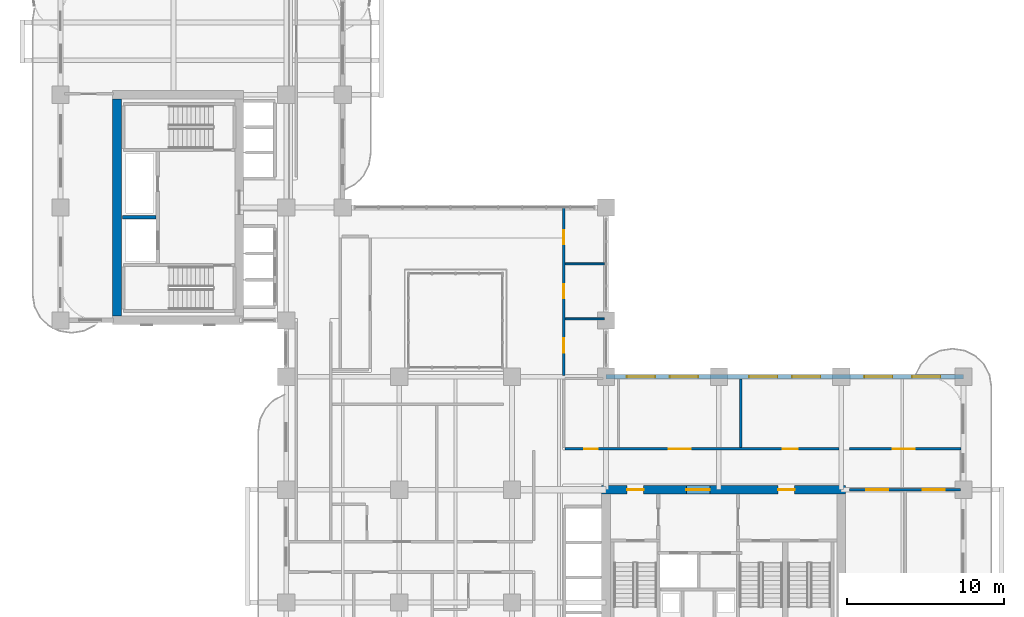
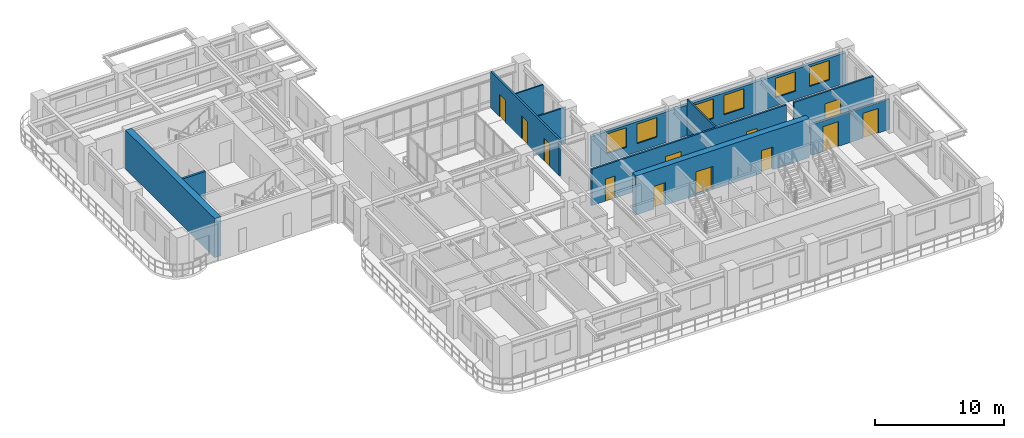
# One storey, part 15 of 22: 12 doors, 11 walls, 6 windows, 18 openings.
"""IFC4 building model written with IfcOpenShell, lengths in metres."""

from ifc_helpers import new_model, si_unit, derived_unit, direction, frame, frame_2d, origin, place, context, subcontext, project, spatial, rectangle, extrude, source, transform, mapped, material, layer, layer_set, type_object, type_shapes, element, fill, save


model = new_model("IFC4")

# Units and contexts
model_context = context("Model", 3, precision=1e-05, world=origin(), true_north=direction((0.0, 1.0)))
body_context = subcontext(model_context, "Body", "Model", "MODEL_VIEW")
ifc_project = project(units=[si_unit("LENGTHUNIT", "METRE"), si_unit("AREAUNIT", "SQUARE_METRE"), si_unit("VOLUMEUNIT", "CUBIC_METRE"), si_unit("PLANEANGLEUNIT", "RADIAN"), si_unit("MASSUNIT", "GRAM", prefix="KILO"), si_unit("THERMODYNAMICTEMPERATUREUNIT", "KELVIN"), si_unit("POWERUNIT", "WATT"), derived_unit("THERMALTRANSMITTANCEUNIT", [(si_unit("POWERUNIT", "WATT"), 1), (si_unit("AREAUNIT", "SQUARE_METRE"), -1), (si_unit("THERMODYNAMICTEMPERATUREUNIT", "KELVIN"), -1)])], contexts=[model_context])

# Site, building, storey
site_placement = place(None, origin())
site = spatial("IfcSite", under=ifc_project, at=site_placement, CompositionType="ELEMENT")
building_placement = place(site_placement, origin())
building = spatial("IfcBuilding", under=site, at=building_placement, Name="Zahravan Archway Hotel and Residences", CompositionType="ELEMENT")
storey_placement = place(building_placement, frame((0.0, 0.0, 95.300048828125)))
storey = spatial("IfcBuildingStorey", under=building, at=storey_placement, Name="L23", CompositionType="ELEMENT", Elevation=95.300048828125)

# Wall, openings, doors
ifc_material_1 = material(Name="Concrete C70/85", Category="concrete")
ifc_layer_1 = layer(ifc_material_1, 0.550048828125, Name="Concrete C70/85", Category="concrete")
ifc_layer_set_1 = layer_set([ifc_layer_1], Name="Concrete C70/85")
wall_type_1 = type_object("IfcWallType", Name="CW-CORE-550", PredefinedType="SHEAR", material=ifc_layer_set_1)
wall_1_placement = place(storey_placement, frame((34.52490234375, 14.39990234375, 0.0), z_axis=(0.0, 0.0, 1.0), x_axis=(1.0, 0.0, 0.0)))
wall_1 = element("IfcWall", 1, at=wall_1_placement, inside=storey, type_object=wall_type_1, Name="L23 Core A Shear N Wall 550 mm", PredefinedType="SHEAR", context=body_context, shape_type="SweptSolid", body=[
    extrude(rectangle(XDim=15.550048828125, YDim=0.550048828125, at=frame_2d((7.77490234375, 0.0))), origin(), (0.0, 0.0, 1.0), 3.699951171875),
])
opening_1_placement = place(wall_1_placement, frame((5.405029296875, 0.0, 0.0)))
opening_1 = element("IfcOpeningElement", 2, at=opening_1_placement, cuts=wall_1, Name="Opening FD-L1", PredefinedType="OPENING", context=body_context, shape_type="SweptSolid", body=[
    extrude(rectangle(XDim=1.5, YDim=2.199951171875, at=frame_2d((0.75, 1.10009765625))), frame((0.0, 0.28515625, 0.0), z_axis=(0.0, -1.0, 0.0), x_axis=(1.0, 0.0, 0.0)), (0.0, 0.0, 1.0), 0.570068359375),
])
opening_2_placement = place(wall_1_placement, frame((1.6201171875, 0.0, 0.0)))
opening_2 = element("IfcOpeningElement", 3, at=opening_2_placement, cuts=wall_1, Name="Opening FD-L2", PredefinedType="OPENING", context=body_context, shape_type="SweptSolid", body=[
    extrude(rectangle(XDim=1.050048828125, YDim=2.14990234375, at=frame_2d((0.52490234375, 1.074951171875))), frame((0.0, 0.28515625, 0.0), z_axis=(0.0, -1.0, 0.0), x_axis=(1.0, 0.0, 0.0)), (0.0, 0.0, 1.0), 0.570068359375),
])
opening_3_placement = place(wall_1_placement, frame((11.25, 0.0, 0.0)))
opening_3 = element("IfcOpeningElement", 4, at=opening_3_placement, cuts=wall_1, Name="Opening FD-L2", PredefinedType="OPENING", context=body_context, shape_type="SweptSolid", body=[
    extrude(rectangle(XDim=1.050048828125, YDim=2.14990234375, at=frame_2d((0.52490234375, 1.074951171875))), frame((0.0, 0.28515625, 0.0), z_axis=(0.0, -1.0, 0.0), x_axis=(1.0, 0.0, 0.0)), (0.0, 0.0, 1.0), 0.570068359375),
])
ifc_material_2 = material(Name="Fire-Rated Painted Steel", Category="steel")
door_type_1 = type_object("IfcDoorType", Name="FD-LOBBY-1100", OperationType="NOTDEFINED", PredefinedType="DOOR", material=ifc_material_2)
shared_shape_1 = source(origin(), body_context, "Body", "SweptSolid", [
    extrude(rectangle(XDim=1.050048828125, YDim=2.14990234375, at=frame_2d((0.52490234375, 1.074951171875))), frame((0.0, 0.02490234375, 0.0), z_axis=(0.0, -1.0, 0.0), x_axis=(1.0, 0.0, 0.0)), (0.0, 0.0, 1.0), 0.050048828125),
])
type_shapes(door_type_1, [shared_shape_1])
door_1_placement = place(opening_2_placement, origin())
door_1 = element("IfcDoor", 5, at=door_1_placement, inside=storey, type_object=door_type_1, Name="L23 Core A West Stair Lobby Door", OperationType="SINGLE_SWING_RIGHT", OverallHeight=2.14990234375, OverallWidth=1.050048828125, PredefinedType="DOOR", context=body_context, shape_type="MappedRepresentation", body=[
    mapped(shared_shape_1, transform((0.0, 0.0, 0.0), scale=1.0)),
])
fill(opening_2, door_1)
door_2_placement = place(opening_3_placement, origin())
door_2 = element("IfcDoor", 6, at=door_2_placement, inside=storey, type_object=door_type_1, Name="L23 Core A East Stair Lobby Door", OperationType="SINGLE_SWING_LEFT", OverallHeight=2.14990234375, OverallWidth=1.050048828125, PredefinedType="DOOR", context=body_context, shape_type="MappedRepresentation", body=[
    mapped(shared_shape_1, transform((0.0, 0.0, 0.0), scale=1.0)),
])
fill(opening_3, door_2)
door_type_2 = type_object("IfcDoorType", Name="FD-LOBBY-1500", OperationType="DOUBLE_DOOR_SINGLE_SWING", PredefinedType="DOOR", material=ifc_material_2)
shared_shape_2 = source(origin(), body_context, "Body", "SweptSolid", [
    extrude(rectangle(XDim=1.5, YDim=2.199951171875, at=frame_2d((0.75, 1.10009765625))), frame((0.0, 0.02490234375, 0.0), z_axis=(0.0, -1.0, 0.0), x_axis=(1.0, 0.0, 0.0)), (0.0, 0.0, 1.0), 0.050048828125),
])
type_shapes(door_type_2, [shared_shape_2])
door_3_placement = place(opening_1_placement, origin())
door_3 = element("IfcDoor", 7, at=door_3_placement, inside=storey, type_object=door_type_2, Name="L23 Core A FSAE Lobby Main Door", OperationType="DOUBLE_DOOR_SINGLE_SWING", OverallHeight=2.199951171875, OverallWidth=1.5, PredefinedType="DOOR", context=body_context, shape_type="MappedRepresentation", body=[
    mapped(shared_shape_2, transform((0.0, 0.0, 0.0), scale=1.0)),
])
fill(opening_1, door_3)

# Wall
wall_2_placement = place(storey_placement, frame((3.60009765625, 25.47509765625, 0.0), z_axis=(0.0, 0.0, 1.0), x_axis=(0.0, 1.0, 0.0)))
element("IfcWall", 8, at=wall_2_placement, inside=storey, type_object=wall_type_1, Name="L23 Core B Shear W Wall 550 mm", PredefinedType="SHEAR", context=body_context, shape_type="SweptSolid", body=[
    extrude(rectangle(XDim=13.849853515625, YDim=0.550048828125, at=frame_2d((6.9248046875, 0.0))), origin(), (0.0, 0.0, 1.0), 3.699951171875),
])

# Wall, openings, windows
ifc_material_3 = material(Name="Honed Red-Ochre Sandstone & Insulated Block", Category="masonry")
ifc_layer_2 = layer(ifc_material_3, 0.280029296875, Name="Honed Red-Ochre Sandstone & Insulated Block", Category="masonry")
ifc_layer_set_2 = layer_set([ifc_layer_2], Name="Honed Red-Ochre Sandstone & Insulated Block")
wall_type_2 = type_object("IfcWallType", Name="EW-LOG-280", PredefinedType="SOLIDWALL", material=ifc_layer_set_2)
wall_3_placement = place(storey_placement, frame((34.800048828125, 21.60009765625, 0.0), z_axis=(0.0, 0.0, 1.0), x_axis=(1.0, 0.0, 0.0)))
wall_3 = element("IfcWall", 9, at=wall_3_placement, inside=storey, type_object=wall_type_2, Name="L23 Exterior Sandstone Wall WA-NE", PredefinedType="SOLIDWALL", context=body_context, shape_type="SweptSolid", body=[
    extrude(rectangle(XDim=22.800048828125, YDim=0.280029296875, at=frame_2d((11.39990234375, 0.0))), origin(), (0.0, 0.0, 1.0), 2.885009765625),
])
opening_4_placement = place(wall_3_placement, frame((1.3310546875, 0.0, 0.800048828125)))
opening_4 = element("IfcOpeningElement", 10, at=opening_4_placement, cuts=wall_3, Name="Opening W-02", PredefinedType="OPENING", context=body_context, shape_type="SweptSolid", body=[
    extrude(rectangle(XDim=1.800048828125, YDim=1.85009765625, at=frame_2d((0.89990234375, 0.925048828125))), frame((0.0, 0.14990234375, 0.0), z_axis=(0.0, -1.0, 0.0), x_axis=(1.0, 0.0, 0.0)), (0.0, 0.0, 1.0), 0.300048828125),
])
opening_5_placement = place(wall_3_placement, frame((4.076904296875, 0.0, 0.800048828125)))
opening_5 = element("IfcOpeningElement", 11, at=opening_5_placement, cuts=wall_3, Name="Opening W-02", PredefinedType="OPENING", context=body_context, shape_type="SweptSolid", body=[
    extrude(rectangle(XDim=1.800048828125, YDim=1.85009765625, at=frame_2d((0.89990234375, 0.925048828125))), frame((0.0, 0.14990234375, 0.0), z_axis=(0.0, -1.0, 0.0), x_axis=(1.0, 0.0, 0.0)), (0.0, 0.0, 1.0), 0.300048828125),
])
opening_6_placement = place(wall_3_placement, frame((9.131103515625, 0.0, 0.800048828125)))
opening_6 = element("IfcOpeningElement", 12, at=opening_6_placement, cuts=wall_3, Name="Opening W-02", PredefinedType="OPENING", context=body_context, shape_type="SweptSolid", body=[
    extrude(rectangle(XDim=1.800048828125, YDim=1.85009765625, at=frame_2d((0.89990234375, 0.925048828125))), frame((0.0, 0.14990234375, 0.0), z_axis=(0.0, -1.0, 0.0), x_axis=(1.0, 0.0, 0.0)), (0.0, 0.0, 1.0), 0.300048828125),
])
opening_7_placement = place(wall_3_placement, frame((11.876953125, 0.0, 0.800048828125)))
opening_7 = element("IfcOpeningElement", 13, at=opening_7_placement, cuts=wall_3, Name="Opening W-02", PredefinedType="OPENING", context=body_context, shape_type="SweptSolid", body=[
    extrude(rectangle(XDim=1.800048828125, YDim=1.85009765625, at=frame_2d((0.89990234375, 0.925048828125))), frame((0.0, 0.14990234375, 0.0), z_axis=(0.0, -1.0, 0.0), x_axis=(1.0, 0.0, 0.0)), (0.0, 0.0, 1.0), 0.300048828125),
])
opening_8_placement = place(wall_3_placement, frame((16.47509765625, 0.0, 0.800048828125)))
opening_8 = element("IfcOpeningElement", 14, at=opening_8_placement, cuts=wall_3, Name="Opening W-02", PredefinedType="OPENING", context=body_context, shape_type="SweptSolid", body=[
    extrude(rectangle(XDim=1.800048828125, YDim=1.85009765625, at=frame_2d((0.89990234375, 0.925048828125))), frame((0.0, 0.14990234375, 0.0), z_axis=(0.0, -1.0, 0.0), x_axis=(1.0, 0.0, 0.0)), (0.0, 0.0, 1.0), 0.300048828125),
])
opening_9_placement = place(wall_3_placement, frame((19.52490234375, 0.0, 0.800048828125)))
opening_9 = element("IfcOpeningElement", 15, at=opening_9_placement, cuts=wall_3, Name="Opening W-02", PredefinedType="OPENING", context=body_context, shape_type="SweptSolid", body=[
    extrude(rectangle(XDim=1.800048828125, YDim=1.85009765625, at=frame_2d((0.89990234375, 0.925048828125))), frame((0.0, 0.14990234375, 0.0), z_axis=(0.0, -1.0, 0.0), x_axis=(1.0, 0.0, 0.0)), (0.0, 0.0, 1.0), 0.300048828125),
])
ifc_material_4 = material(Name="Bronze-Anodized Thermal-Break Aluminium & Low-E Glass", Category="aluminium")
window_type = type_object("IfcWindowType", Name="WIN-TWR-1800", PartitioningType="DOUBLE_PANEL_VERTICAL", PredefinedType="WINDOW", material=ifc_material_4)
shared_shape_3 = source(origin(), body_context, "Body", "SweptSolid", [
    extrude(rectangle(XDim=1.800048828125, YDim=1.85009765625, at=frame_2d((0.89990234375, 0.925048828125))), frame((0.0, 0.030029296875, 0.0), z_axis=(0.0, -1.0, 0.0), x_axis=(1.0, 0.0, 0.0)), (0.0, 0.0, 1.0), 0.06005859375),
])
type_shapes(window_type, [shared_shape_3])
window_1_placement = place(opening_4_placement, origin())
window_1 = element("IfcWindow", 16, at=window_1_placement, inside=storey, type_object=window_type, Name="L23 Loggia Window 18", OverallHeight=1.85009765625, OverallWidth=1.800048828125, PartitioningType="DOUBLE_PANEL_VERTICAL", PredefinedType="WINDOW", context=body_context, shape_type="MappedRepresentation", body=[
    mapped(shared_shape_3, transform((0.0, 0.0, 0.0), scale=1.0)),
])
fill(opening_4, window_1)
window_2_placement = place(opening_5_placement, origin())
window_2 = element("IfcWindow", 17, at=window_2_placement, inside=storey, type_object=window_type, Name="L23 Loggia Window 19", OverallHeight=1.85009765625, OverallWidth=1.800048828125, PartitioningType="DOUBLE_PANEL_VERTICAL", PredefinedType="WINDOW", context=body_context, shape_type="MappedRepresentation", body=[
    mapped(shared_shape_3, transform((0.0, 0.0, 0.0), scale=1.0)),
])
fill(opening_5, window_2)
window_3_placement = place(opening_6_placement, origin())
window_3 = element("IfcWindow", 18, at=window_3_placement, inside=storey, type_object=window_type, Name="L23 Loggia Window 20", OverallHeight=1.85009765625, OverallWidth=1.800048828125, PartitioningType="DOUBLE_PANEL_VERTICAL", PredefinedType="WINDOW", context=body_context, shape_type="MappedRepresentation", body=[
    mapped(shared_shape_3, transform((0.0, 0.0, 0.0), scale=1.0)),
])
fill(opening_6, window_3)
window_4_placement = place(opening_7_placement, origin())
window_4 = element("IfcWindow", 19, at=window_4_placement, inside=storey, type_object=window_type, Name="L23 Loggia Window 21", OverallHeight=1.85009765625, OverallWidth=1.800048828125, PartitioningType="DOUBLE_PANEL_VERTICAL", PredefinedType="WINDOW", context=body_context, shape_type="MappedRepresentation", body=[
    mapped(shared_shape_3, transform((0.0, 0.0, 0.0), scale=1.0)),
])
fill(opening_7, window_4)
window_5_placement = place(opening_8_placement, origin())
window_5 = element("IfcWindow", 20, at=window_5_placement, inside=storey, type_object=window_type, Name="L23 Loggia Window 22", OverallHeight=1.85009765625, OverallWidth=1.800048828125, PartitioningType="DOUBLE_PANEL_VERTICAL", PredefinedType="WINDOW", context=body_context, shape_type="MappedRepresentation", body=[
    mapped(shared_shape_3, transform((0.0, 0.0, 0.0), scale=1.0)),
])
fill(opening_8, window_5)
window_6_placement = place(opening_9_placement, origin())
window_6 = element("IfcWindow", 21, at=window_6_placement, inside=storey, type_object=window_type, Name="L23 Loggia Window 23", OverallHeight=1.85009765625, OverallWidth=1.800048828125, PartitioningType="DOUBLE_PANEL_VERTICAL", PredefinedType="WINDOW", context=body_context, shape_type="MappedRepresentation", body=[
    mapped(shared_shape_3, transform((0.0, 0.0, 0.0), scale=1.0)),
])
fill(opening_9, window_6)

# Wall, openings, doors
ifc_material_5 = material(Name="Fire-Rated Gypsum & Concrete Block", Category="concrete")
ifc_layer_3 = layer(ifc_material_5, 0.159912109375, Name="Fire-Rated Gypsum & Concrete Block", Category="concrete")
ifc_layer_set_3 = layer_set([ifc_layer_3], Name="Fire-Rated Gypsum & Concrete Block")
wall_type_3 = type_object("IfcWallType", Name="PW-CORR-160", PredefinedType="PARTITIONING", material=ifc_layer_set_3)
wall_4_placement = place(storey_placement, frame((32.18994140625, 17.0, 0.0), z_axis=(0.0, 0.0, 1.0), x_axis=(1.0, 0.0, 0.0)))
wall_4 = element("IfcWall", 22, at=wall_4_placement, inside=storey, type_object=wall_type_3, Name="L23 Partition WA-FN", PredefinedType="PARTITIONING", context=body_context, shape_type="SweptSolid", body=[
    extrude(rectangle(XDim=17.469970703125, YDim=0.159912109375, at=frame_2d((8.73486328125, 0.0))), origin(), (0.0, 0.0, 1.0), 3.449951171875),
])
opening_10_placement = place(wall_4_placement, frame((1.235107421875, 0.0, 0.0)))
opening_10 = element("IfcOpeningElement", 23, at=opening_10_placement, cuts=wall_4, Name="Opening D-B1", PredefinedType="OPENING", context=body_context, shape_type="SweptSolid", body=[
    extrude(rectangle(XDim=0.85009765625, YDim=2.10009765625, at=frame_2d((0.425048828125, 1.050048828125))), frame((0.0, 0.08984375, 0.0), z_axis=(0.0, -1.0, 0.0), x_axis=(1.0, 0.0, 0.0)), (0.0, 0.0, 1.0), 0.179931640625),
])
opening_11_placement = place(wall_4_placement, frame((6.610107421875, 0.0, 0.0)))
opening_11 = element("IfcOpeningElement", 24, at=opening_11_placement, cuts=wall_4, Name="Opening D-P1", PredefinedType="OPENING", context=body_context, shape_type="SweptSolid", body=[
    extrude(rectangle(XDim=1.39990234375, YDim=2.35009765625, at=frame_2d((0.699951171875, 1.175048828125))), frame((0.0, 0.08984375, 0.0), z_axis=(0.0, -1.0, 0.0), x_axis=(1.0, 0.0, 0.0)), (0.0, 0.0, 1.0), 0.179931640625),
])
opening_12_placement = place(wall_4_placement, frame((13.885009765625, 0.0, 0.0)))
opening_12 = element("IfcOpeningElement", 25, at=opening_12_placement, cuts=wall_4, Name="Opening D-I1", PredefinedType="OPENING", context=body_context, shape_type="SweptSolid", body=[
    extrude(rectangle(XDim=0.949951171875, YDim=2.14990234375, at=frame_2d((0.47509765625, 1.074951171875))), frame((0.0, 0.08984375, 0.0), z_axis=(0.0, -1.0, 0.0), x_axis=(1.0, 0.0, 0.0)), (0.0, 0.0, 1.0), 0.179931640625),
])
ifc_material_6 = material(Name="Hardwood Veneer Timber", Category="wood")
door_type_3 = type_object("IfcDoorType", Name="ID-BATH-850", OperationType="NOTDEFINED", PredefinedType="DOOR", material=ifc_material_6)
shared_shape_4 = source(origin(), body_context, "Body", "SweptSolid", [
    extrude(rectangle(XDim=0.85009765625, YDim=2.10009765625, at=frame_2d((0.425048828125, 1.050048828125))), frame((0.0, 0.02490234375, 0.0), z_axis=(0.0, -1.0, 0.0), x_axis=(1.0, 0.0, 0.0)), (0.0, 0.0, 1.0), 0.050048828125),
])
type_shapes(door_type_3, [shared_shape_4])
door_4_placement = place(opening_10_placement, origin())
door_4 = element("IfcDoor", 26, at=door_4_placement, inside=storey, type_object=door_type_3, Name="L23 Accessible WC Door", OperationType="SINGLE_SWING_LEFT", OverallHeight=2.10009765625, OverallWidth=0.85009765625, PredefinedType="DOOR", context=body_context, shape_type="MappedRepresentation", body=[
    mapped(shared_shape_4, transform((0.0, 0.0, 0.0), scale=1.0)),
])
fill(opening_10, door_4)
ifc_material_7 = material(Name="Bronze-Anodized Glazed Aluminium", Category="aluminium")
door_type_4 = type_object("IfcDoorType", Name="ID-PUBLIC-1400", OperationType="DOUBLE_DOOR_SINGLE_SWING", PredefinedType="DOOR", material=ifc_material_7)
shared_shape_5 = source(origin(), body_context, "Body", "SweptSolid", [
    extrude(rectangle(XDim=1.39990234375, YDim=2.35009765625, at=frame_2d((0.699951171875, 1.175048828125))), frame((0.0, 0.02490234375, 0.0), z_axis=(0.0, -1.0, 0.0), x_axis=(1.0, 0.0, 0.0)), (0.0, 0.0, 1.0), 0.050048828125),
])
type_shapes(door_type_4, [shared_shape_5])
door_5_placement = place(opening_11_placement, origin())
door_5 = element("IfcDoor", 27, at=door_5_placement, inside=storey, type_object=door_type_4, Name="L23 Private Dining Door", OperationType="DOUBLE_DOOR_SINGLE_SWING", OverallHeight=2.35009765625, OverallWidth=1.39990234375, PredefinedType="DOOR", context=body_context, shape_type="MappedRepresentation", body=[
    mapped(shared_shape_5, transform((0.0, 0.0, 0.0), scale=1.0)),
])
fill(opening_11, door_5)
door_type_5 = type_object("IfcDoorType", Name="ID-INT-950", OperationType="NOTDEFINED", PredefinedType="DOOR", material=ifc_material_6)
shared_shape_6 = source(origin(), body_context, "Body", "SweptSolid", [
    extrude(rectangle(XDim=0.949951171875, YDim=2.14990234375, at=frame_2d((0.47509765625, 1.074951171875))), frame((0.0, 0.02490234375, 0.0), z_axis=(0.0, -1.0, 0.0), x_axis=(1.0, 0.0, 0.0)), (0.0, 0.0, 1.0), 0.050048828125),
])
type_shapes(door_type_5, [shared_shape_6])
door_6_placement = place(opening_12_placement, origin())
door_6 = element("IfcDoor", 28, at=door_6_placement, inside=storey, type_object=door_type_5, Name="L23 Quiet Musalla Door", OperationType="SINGLE_SWING_RIGHT", OverallHeight=2.14990234375, OverallWidth=0.949951171875, PredefinedType="DOOR", context=body_context, shape_type="MappedRepresentation", body=[
    mapped(shared_shape_6, transform((0.0, 0.0, 0.0), scale=1.0)),
])
fill(opening_12, door_6)

# Wall, opening, door
wall_5_placement = place(storey_placement, frame((50.340087890625, 17.0, 0.0), z_axis=(0.0, 0.0, 1.0), x_axis=(1.0, 0.0, 0.0)))
wall_5 = element("IfcWall", 29, at=wall_5_placement, inside=storey, type_object=wall_type_3, Name="L23 Partition EA-PN", PredefinedType="PARTITIONING", context=body_context, shape_type="SweptSolid", body=[
    extrude(rectangle(XDim=7.11181640625, YDim=0.159912109375, at=frame_2d((3.555908203125, 0.0))), origin(), (0.0, 0.0, 1.0), 3.449951171875),
])
opening_13_placement = place(wall_5_placement, frame((2.760009765625, 0.0, 0.0)))
opening_13 = element("IfcOpeningElement", 30, at=opening_13_placement, cuts=wall_5, Name="Opening D-P1", PredefinedType="OPENING", context=body_context, shape_type="SweptSolid", body=[
    extrude(rectangle(XDim=1.39990234375, YDim=2.35009765625, at=frame_2d((0.699951171875, 1.175048828125))), frame((0.0, 0.08984375, 0.0), z_axis=(0.0, -1.0, 0.0), x_axis=(1.0, 0.0, 0.0)), (0.0, 0.0, 1.0), 0.179931640625),
])
door_7_placement = place(opening_13_placement, origin())
door_7 = element("IfcDoor", 31, at=door_7_placement, inside=storey, type_object=door_type_4, Name="L23 East Fitness Studio Door", OperationType="DOUBLE_DOOR_SINGLE_SWING", OverallHeight=2.35009765625, OverallWidth=1.39990234375, PredefinedType="DOOR", context=body_context, shape_type="MappedRepresentation", body=[
    mapped(shared_shape_5, transform((0.0, 0.0, 0.0), scale=1.0)),
])
fill(opening_13, door_7)

# Walls
ifc_material_8 = material(Name="Acoustic Stud Partition")
ifc_layer_4 = layer(ifc_material_8, 0.125, Name="Acoustic Stud Partition")
ifc_layer_set_4 = layer_set([ifc_layer_4], Name="Acoustic Stud Partition")
wall_type_4 = type_object("IfcWallType", Name="PW-INT-125", PredefinedType="PARTITIONING", material=ifc_layer_set_4)
for number, where, z_axis, x_axis, name in (
    (32, (32.18994140625, 25.300048828125, 0.0), (0.0, 0.0, 1.0), (1.0, 0.0, 0.0), "L23 Partition ATR-EM3A"),
    (33, (32.18994140625, 28.800048828125, 0.0), (0.0, 0.0, 1.0), (1.0, 0.0, 0.0), "L23 Partition ATR-EM3B"),
):
    element("IfcWall", number, at=place(storey_placement, frame(where, z_axis=z_axis, x_axis=x_axis)), inside=storey, type_object=wall_type_4, Name=name, PredefinedType="PARTITIONING", context=body_context, shape_type="SweptSolid", body=[
        extrude(rectangle(XDim=2.5, YDim=0.125, at=frame_2d((1.25, 0.0))), origin(), (0.0, 0.0, 1.0), 3.449951171875),
    ])
ifc_layer_5 = layer(ifc_material_5, 0.199951171875, Name="Fire-Rated Gypsum & Concrete Block", Category="concrete")
ifc_layer_set_5 = layer_set([ifc_layer_5], Name="Fire-Rated Gypsum & Concrete Block")
wall_type_5 = type_object("IfcWallType", Name="PW-SHAFT-200", PredefinedType="PARTITIONING", material=ifc_layer_set_5)
wall_6_placement = place(storey_placement, frame((3.9599609375, 31.780029296875, 0.0), z_axis=(0.0, 0.0, 1.0), x_axis=(1.0, 0.0, 0.0)))
element("IfcWall", 34, at=wall_6_placement, inside=storey, type_object=wall_type_5, Name="L23 Partition CB-FL3N", PredefinedType="PARTITIONING", context=body_context, shape_type="SweptSolid", body=[
    extrude(rectangle(XDim=2.130126953125, YDim=0.199951171875, at=frame_2d((1.06494140625, 0.0))), origin(), (0.0, 0.0, 1.0), 3.449951171875),
])

# Wall, openings, doors
ifc_layer_6 = layer(ifc_material_8, 0.169921875, Name="Acoustic Stud Partition")
ifc_layer_set_6 = layer_set([ifc_layer_6], Name="Acoustic Stud Partition")
wall_type_6 = type_object("IfcWallType", Name="PW-UNIT-170", PredefinedType="PARTITIONING", material=ifc_layer_set_6)
wall_7_placement = place(storey_placement, frame((50.340087890625, 14.39990234375, 0.0), z_axis=(0.0, 0.0, 1.0), x_axis=(1.0, 0.0, 0.0)))
wall_7 = element("IfcWall", 35, at=wall_7_placement, inside=storey, type_object=wall_type_6, Name="L23 Partition EA-PS", PredefinedType="PARTITIONING", context=body_context, shape_type="SweptSolid", body=[
    extrude(rectangle(XDim=7.06982421875, YDim=0.169921875, at=frame_2d((3.534912109375, 0.0))), origin(), (0.0, 0.0, 1.0), 2.885009765625),
])
opening_14_placement = place(wall_7_placement, frame((1.06005859375, 0.0, 0.0)))
opening_14 = element("IfcOpeningElement", 36, at=opening_14_placement, cuts=wall_7, Name="Opening D-P1", PredefinedType="OPENING", context=body_context, shape_type="SweptSolid", body=[
    extrude(rectangle(XDim=1.39990234375, YDim=2.35009765625, at=frame_2d((0.699951171875, 1.175048828125))), frame((0.0, 0.094970703125, 0.0), z_axis=(0.0, -1.0, 0.0), x_axis=(1.0, 0.0, 0.0)), (0.0, 0.0, 1.0), 0.18994140625),
])
opening_15_placement = place(wall_7_placement, frame((4.659912109375, 0.0, 0.0)))
opening_15 = element("IfcOpeningElement", 37, at=opening_15_placement, cuts=wall_7, Name="Opening D-P1", PredefinedType="OPENING", context=body_context, shape_type="SweptSolid", body=[
    extrude(rectangle(XDim=1.39990234375, YDim=2.35009765625, at=frame_2d((0.699951171875, 1.175048828125))), frame((0.0, 0.094970703125, 0.0), z_axis=(0.0, -1.0, 0.0), x_axis=(1.0, 0.0, 0.0)), (0.0, 0.0, 1.0), 0.18994140625),
])
door_8_placement = place(opening_14_placement, origin())
door_8 = element("IfcDoor", 38, at=door_8_placement, inside=storey, type_object=door_type_4, Name="L23 East Conference Room Door", OperationType="DOUBLE_DOOR_SINGLE_SWING", OverallHeight=2.35009765625, OverallWidth=1.39990234375, PredefinedType="DOOR", context=body_context, shape_type="MappedRepresentation", body=[
    mapped(shared_shape_5, transform((0.0, 0.0, 0.0), scale=1.0)),
])
fill(opening_14, door_8)
door_9_placement = place(opening_15_placement, origin())
door_9 = element("IfcDoor", 39, at=door_9_placement, inside=storey, type_object=door_type_4, Name="L23 East Salon Door", OperationType="DOUBLE_DOOR_SINGLE_SWING", OverallHeight=2.35009765625, OverallWidth=1.39990234375, PredefinedType="DOOR", context=body_context, shape_type="MappedRepresentation", body=[
    mapped(shared_shape_5, transform((0.0, 0.0, 0.0), scale=1.0)),
])
fill(opening_15, door_9)

wall_8_placement = place(storey_placement, frame((32.10009765625, 21.669921875, 0.0), z_axis=(0.0, 0.0, 1.0), x_axis=(0.0, 1.0, 0.0)))
wall_8 = element("IfcWall", 40, at=wall_8_placement, inside=storey, type_object=wall_type_6, Name="L23 Partition ATR-E", PredefinedType="PARTITIONING", context=body_context, shape_type="SweptSolid", body=[
    extrude(rectangle(XDim=10.7021484375, YDim=0.169921875, at=frame_2d((5.35107421875, 0.0))), origin(), (0.0, 0.0, 1.0), 3.449951171875),
])
opening_16_placement = place(wall_8_placement, frame((1.47998046875, 0.0, 0.0)))
opening_16 = element("IfcOpeningElement", 41, at=opening_16_placement, cuts=wall_8, Name="Opening D-I2", PredefinedType="OPENING", context=body_context, shape_type="SweptSolid", body=[
    extrude(rectangle(XDim=0.89990234375, YDim=2.14990234375, at=frame_2d((0.449951171875, 1.074951171875))), frame((0.0, 0.094970703125, 0.0), z_axis=(0.0, -1.0, 0.0), x_axis=(1.0, 0.0, 0.0)), (0.0, 0.0, 1.0), 0.18994140625),
])
opening_17_placement = place(wall_8_placement, frame((4.929931640625, 0.0, 0.0)))
opening_17 = element("IfcOpeningElement", 42, at=opening_17_placement, cuts=wall_8, Name="Opening D-I2", PredefinedType="OPENING", context=body_context, shape_type="SweptSolid", body=[
    extrude(rectangle(XDim=0.89990234375, YDim=2.14990234375, at=frame_2d((0.449951171875, 1.074951171875))), frame((0.0, 0.094970703125, 0.0), z_axis=(0.0, -1.0, 0.0), x_axis=(1.0, 0.0, 0.0)), (0.0, 0.0, 1.0), 0.18994140625),
])
opening_18_placement = place(wall_8_placement, frame((8.3798828125, 0.0, 0.0)))
opening_18 = element("IfcOpeningElement", 43, at=opening_18_placement, cuts=wall_8, Name="Opening D-I2", PredefinedType="OPENING", context=body_context, shape_type="SweptSolid", body=[
    extrude(rectangle(XDim=0.89990234375, YDim=2.14990234375, at=frame_2d((0.449951171875, 1.074951171875))), frame((0.0, 0.094970703125, 0.0), z_axis=(0.0, -1.0, 0.0), x_axis=(1.0, 0.0, 0.0)), (0.0, 0.0, 1.0), 0.18994140625),
])
door_type_6 = type_object("IfcDoorType", Name="ID-INT-900", OperationType="NOTDEFINED", PredefinedType="DOOR", material=ifc_material_6)
shared_shape_7 = source(origin(), body_context, "Body", "SweptSolid", [
    extrude(rectangle(XDim=0.89990234375, YDim=2.14990234375, at=frame_2d((0.449951171875, 1.074951171875))), frame((0.0, 0.02490234375, 0.0), z_axis=(0.0, -1.0, 0.0), x_axis=(1.0, 0.0, 0.0)), (0.0, 0.0, 1.0), 0.050048828125),
])
type_shapes(door_type_6, [shared_shape_7])
door_10_placement = place(opening_16_placement, origin())
door_10 = element("IfcDoor", 44, at=door_10_placement, inside=storey, type_object=door_type_6, Name="L23 Atrium Pantry Door", OperationType="SINGLE_SWING_RIGHT", OverallHeight=2.14990234375, OverallWidth=0.89990234375, PredefinedType="DOOR", context=body_context, shape_type="MappedRepresentation", body=[
    mapped(shared_shape_7, transform((0.0, 0.0, 0.0), scale=1.0)),
])
fill(opening_16, door_10)
door_11_placement = place(opening_17_placement, origin())
door_11 = element("IfcDoor", 45, at=door_11_placement, inside=storey, type_object=door_type_6, Name="L23 Atrium Study Door", OperationType="SINGLE_SWING_LEFT", OverallHeight=2.14990234375, OverallWidth=0.89990234375, PredefinedType="DOOR", context=body_context, shape_type="MappedRepresentation", body=[
    mapped(shared_shape_7, transform((0.0, 0.0, 0.0), scale=1.0)),
])
fill(opening_17, door_11)
door_12_placement = place(opening_18_placement, origin())
door_12 = element("IfcDoor", 46, at=door_12_placement, inside=storey, type_object=door_type_6, Name="L23 Atrium Clinic Door", OperationType="SINGLE_SWING_RIGHT", OverallHeight=2.14990234375, OverallWidth=0.89990234375, PredefinedType="DOOR", context=body_context, shape_type="MappedRepresentation", body=[
    mapped(shared_shape_7, transform((0.0, 0.0, 0.0), scale=1.0)),
])
fill(opening_18, door_12)

# Wall
ifc_material_9 = material(Name="Moisture-Resistant Blockwork", Category="masonry")
ifc_layer_7 = layer(ifc_material_9, 0.139892578125, Name="Moisture-Resistant Blockwork", Category="masonry")
ifc_layer_set_7 = layer_set([ifc_layer_7], Name="Moisture-Resistant Blockwork")
wall_type_7 = type_object("IfcWallType", Name="PW-WET-140", PredefinedType="PARTITIONING", material=ifc_layer_set_7)
wall_9_placement = place(storey_placement, frame((43.39990234375, 17.090087890625, 0.0), z_axis=(0.0, 0.0, 1.0), x_axis=(0.0, 1.0, 0.0)))
element("IfcWall", 47, at=wall_9_placement, inside=storey, type_object=wall_type_7, Name="L23 Partition NE3-2", PredefinedType="PARTITIONING", context=body_context, shape_type="SweptSolid", body=[
    extrude(rectangle(XDim=4.36181640625, YDim=0.139892578125, at=frame_2d((2.180908203125, 0.0))), origin(), (0.0, 0.0, 1.0), 3.449951171875),
])

save(model, "model.ifc")
